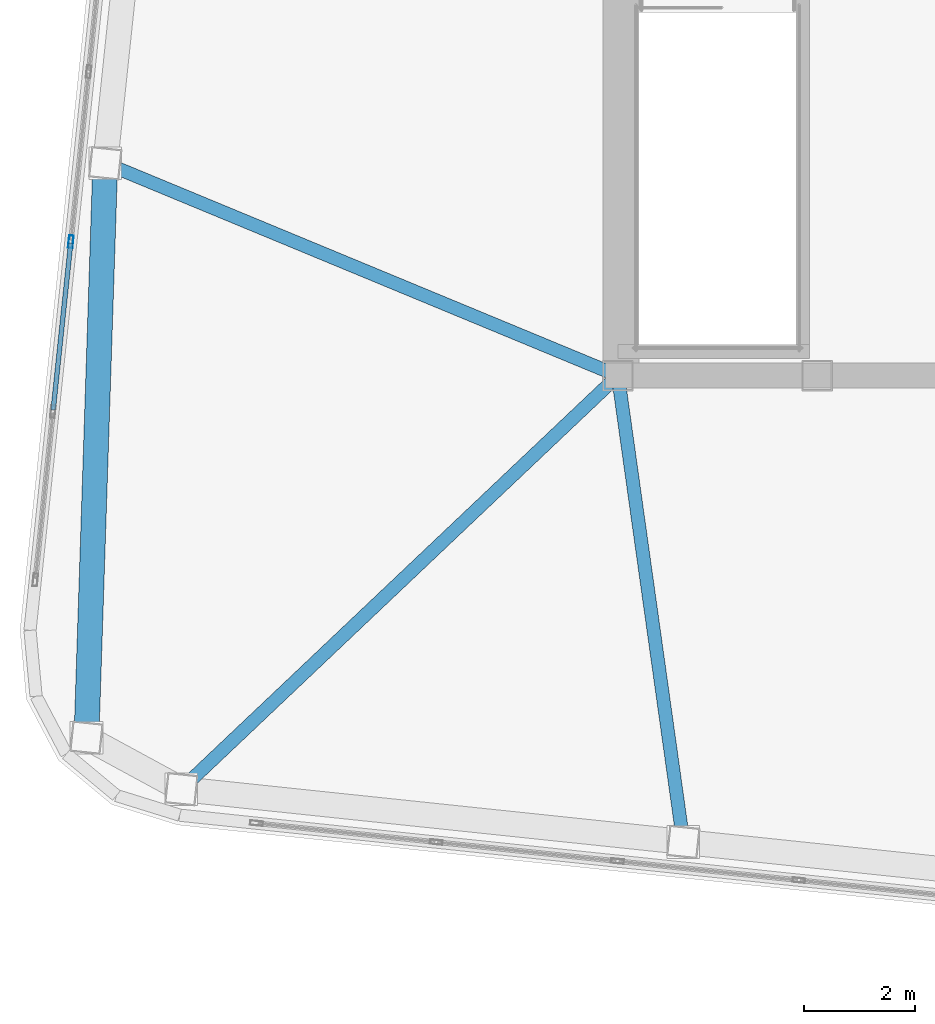
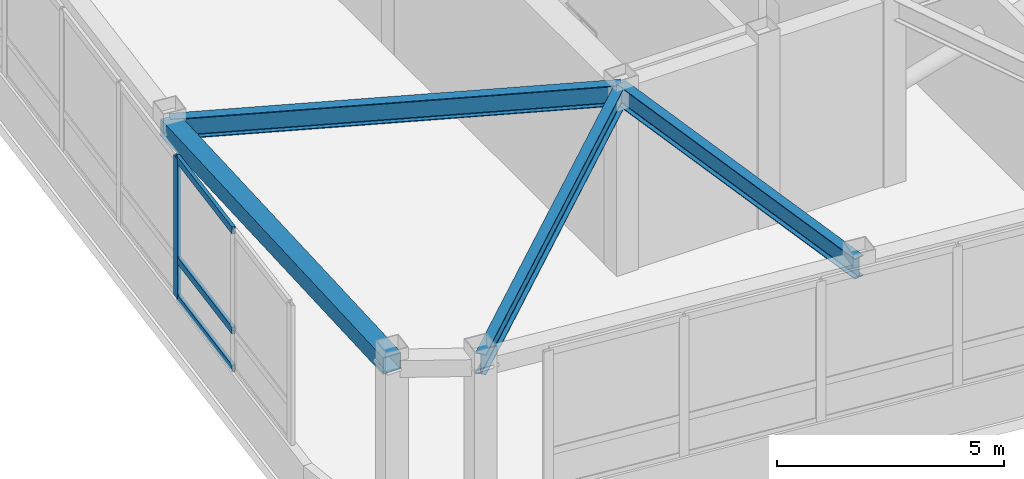
# One storey, part 3 of 21: 4 beams, 4 members, 1 element without a shape of its own.
"""IFC4 building model written with IfcOpenShell, lengths in metres."""

from ifc_helpers import new_model, si_unit, direction, frame, origin, origin_2d, place, context, subcontext, project, spatial, hollow_rectangle, i_section, extrude, material, layer, layer_set, material_profile, profile_set, type_object, element, aggregate, save


model = new_model("IFC4")

# Units and contexts
model_context = context("Model", 3, precision=1e-05, world=origin(), true_north=direction((0.0, 1.0)))
body_context = subcontext(model_context, "Body", "Model", "MODEL_VIEW")
ifc_project = project(units=[si_unit("LENGTHUNIT", "METRE"), si_unit("AREAUNIT", "SQUARE_METRE"), si_unit("VOLUMEUNIT", "CUBIC_METRE"), si_unit("PLANEANGLEUNIT", "RADIAN"), si_unit("MASSUNIT", "GRAM", prefix="KILO")], contexts=[model_context])

# Site, building, storey
site_placement = place(None, origin())
site = spatial("IfcSite", under=ifc_project, at=site_placement, CompositionType="ELEMENT")
building_placement = place(site_placement, origin())
building = spatial("IfcBuilding", under=site, at=building_placement, Name="Voryun Gate Residences", CompositionType="ELEMENT")
storey_placement = place(building_placement, frame((0.0, 0.0, 337.199951171875)))
storey = spatial("IfcBuildingStorey", under=building, at=storey_placement, Name="L82", CompositionType="ELEMENT", Elevation=337.199951171875)

# Beams
ifc_material_1 = material(Name="Steel SM355", Category="steel")
ifc_material_profile_1 = material_profile(ifc_material_1, hollow_rectangle(XDim=0.449951171875, YDim=0.449951171875, WallThickness=0.01806640625, at=origin_2d()), Name="BOX-450x450x18")
ifc_profile_set_1 = profile_set([ifc_material_profile_1], Name="Steel SM355")
beam_type_1 = type_object("IfcBeamType", Name="BM_CROWN_RING", PredefinedType="BEAM", material=ifc_profile_set_1)
beam_1_placement = place(storey_placement, frame((-28.464111328125, -3.56201171875, 4.735107421875), z_axis=(-0.032704208853, -0.999465074289, 0.0), x_axis=(0.999465074289, -0.032704208853, 0.0)))
element("IfcBeam", 1, at=beam_1_placement, inside=storey, type_object=beam_type_1, Name="BM-L82-SPAND-19", PredefinedType="BEAM", context=body_context, shape_type="SweptSolid", body=[
    extrude(hollow_rectangle(XDim=0.449951171875, YDim=0.449951171875, WallThickness=0.01806640625, at=origin_2d()), origin(), (0.0, 0.0, 1.0), 10.384033203125),
])
ifc_material_2 = material(Name="Steel SM355", Category="steel")
ifc_material_profile_2 = material_profile(ifc_material_2, i_section(OverallWidth=0.239990234375, OverallDepth=0.550048828125, WebThickness=0.011962890625, FlangeThickness=0.02001953125, FilletRadius=0.01806640625, at=origin_2d()), Name="H-550x240x12x20")
ifc_profile_set_2 = profile_set([ifc_material_profile_2], Name="Steel SM355")
beam_type_2 = type_object("IfcBeamType", Name="BM_GIRD_550", PredefinedType="USERDEFINED", material=ifc_profile_set_2)
beam_2_placement = place(storey_placement, frame((-19.199951171875, -7.39990234375, 4.68505859375), z_axis=(-0.726024122139, -0.687669233042, 0.0), x_axis=(0.687669233042, -0.726024122139, 0.0)))
element("IfcBeam", 2, at=beam_2_placement, inside=storey, type_object=beam_type_2, Name="BM-L82-RAD-S1", ObjectType="GIRDER", PredefinedType="USERDEFINED", context=body_context, shape_type="SweptSolid", body=[
    extrude(i_section(OverallWidth=0.239990234375, OverallDepth=0.550048828125, WebThickness=0.011962890625, FlangeThickness=0.02001953125, FilletRadius=0.01806640625, at=origin_2d()), origin(), (0.0, 0.0, 1.0), 10.865478515625),
])
beam_3_placement = place(storey_placement, frame((-19.199951171875, -7.39990234375, 4.68505859375), z_axis=(0.138865687617, -0.990311224213, 0.0), x_axis=(0.990311224213, 0.138865687617, 0.0)))
element("IfcBeam", 3, at=beam_3_placement, inside=storey, type_object=beam_type_2, Name="BM-L82-RAD-S2", ObjectType="GIRDER", PredefinedType="USERDEFINED", context=body_context, shape_type="SweptSolid", body=[
    extrude(i_section(OverallWidth=0.239990234375, OverallDepth=0.550048828125, WebThickness=0.011962890625, FlangeThickness=0.02001953125, FilletRadius=0.01806640625, at=origin_2d()), origin(), (0.0, 0.0, 1.0), 8.507568359375),
])
beam_4_placement = place(storey_placement, frame((-19.199951171875, -7.39990234375, 4.68505859375), z_axis=(-0.923860145027, 0.382730234539, 0.0), x_axis=(-0.382730234539, -0.923860145027, 0.0)))
element("IfcBeam", 4, at=beam_4_placement, inside=storey, type_object=beam_type_2, Name="BM-L82-RAD-W2", ObjectType="GIRDER", PredefinedType="USERDEFINED", context=body_context, shape_type="SweptSolid", body=[
    extrude(i_section(OverallWidth=0.239990234375, OverallDepth=0.550048828125, WebThickness=0.011962890625, FlangeThickness=0.02001953125, FilletRadius=0.01806640625, at=origin_2d()), origin(), (0.0, 0.0, 1.0), 10.027587890625),
])

# Curtain wall, members
ifc_material_3 = material(Name="Anodised aluminium", Category="aluminium")
ifc_layer = layer(ifc_material_3, 0.22998046875, Name="CW_SYS_LANTERN_DARK_GLASS")
ifc_layer_set = layer_set([ifc_layer], Name="Anodised aluminium")
curtain_wall_type = type_object("IfcCurtainWallType", Name="CW_SYS_LANTERN_DARK_GLASS", PredefinedType="NOTDEFINED", material=ifc_layer_set)
curtain_wall_placement = place(storey_placement, origin())
curtain_wall = element("IfcCurtainWall", 5, at=curtain_wall_placement, inside=storey, type_object=curtain_wall_type, Name="Curtain wall CW6-L82-06", PredefinedType="NOTDEFINED")
ifc_material_4 = material(Name="Anodised aluminium", Category="aluminium")
ifc_material_profile_3 = material_profile(ifc_material_4, hollow_rectangle(XDim=0.0849609375, YDim=0.22998046875, WallThickness=0.006103515625, at=origin_2d()), Name="ALU-MULL-230x85x6")
ifc_profile_set_3 = profile_set([ifc_material_profile_3], Name="Anodised aluminium")
member_type_1 = type_object("IfcMemberType", Name="CW_MULL_LANT", PredefinedType="MULLION", material=ifc_profile_set_3)
member_1_placement = place(storey_placement, frame((-29.08544921875, -4.978515625, 1.18994140625), z_axis=(0.0, 0.0, 1.0), x_axis=(-0.994521943608, 0.104528004296, 0.0)))
member_1 = element("IfcMember", 6, at=member_1_placement, type_object=member_type_1, Name="CW6 mullion 3", PredefinedType="MULLION", context=body_context, shape_type="SweptSolid", body=[
    extrude(hollow_rectangle(XDim=0.0849609375, YDim=0.22998046875, WallThickness=0.006103515625, at=origin_2d()), origin(), (0.0, 0.0, 1.0), 3.77001953125),
])
ifc_material_5 = material(Name="Anodised aluminium", Category="aluminium")
ifc_material_profile_4 = material_profile(ifc_material_5, hollow_rectangle(XDim=0.0849609375, YDim=0.18994140625, WallThickness=0.006103515625, at=origin_2d()), Name="ALU-TRAN-190x85x6")
ifc_profile_set_4 = profile_set([ifc_material_profile_4], Name="Anodised aluminium")
member_type_2 = type_object("IfcMemberType", Name="CW_TRAN_LANT", PredefinedType="USERDEFINED", material=ifc_profile_set_4)
member_2_placement = place(storey_placement, frame((-29.405029296875, -8.01953125, 1.219970703125), z_axis=(0.104500100479, 0.994524876009, 0.0), x_axis=(-0.994524876009, 0.104500100479, 0.0)))
member_2 = element("IfcMember", 7, at=member_2_placement, type_object=member_type_2, Name="CW6 transom 2.1", ObjectType="TRANSOM", PredefinedType="USERDEFINED", context=body_context, shape_type="SweptSolid", body=[
    extrude(hollow_rectangle(XDim=0.0849609375, YDim=0.18994140625, WallThickness=0.006103515625, at=origin_2d()), origin(), (0.0, 0.0, 1.0), 3.02783203125),
])
member_3_placement = place(storey_placement, frame((-29.405029296875, -8.01953125, 2.239990234375), z_axis=(0.104500100479, 0.994524876009, 0.0), x_axis=(-0.994524876009, 0.104500100479, 0.0)))
member_3 = element("IfcMember", 8, at=member_3_placement, type_object=member_type_2, Name="CW6 transom 2.2", ObjectType="TRANSOM", PredefinedType="USERDEFINED", context=body_context, shape_type="SweptSolid", body=[
    extrude(hollow_rectangle(XDim=0.0849609375, YDim=0.18994140625, WallThickness=0.006103515625, at=origin_2d()), origin(), (0.0, 0.0, 1.0), 3.02783203125),
])
member_4_placement = place(storey_placement, frame((-29.405029296875, -8.01953125, 4.929931640625), z_axis=(0.104500100479, 0.994524876009, 0.0), x_axis=(-0.994524876009, 0.104500100479, 0.0)))
member_4 = element("IfcMember", 9, at=member_4_placement, type_object=member_type_2, Name="CW6 transom 2.3", ObjectType="TRANSOM", PredefinedType="USERDEFINED", context=body_context, shape_type="SweptSolid", body=[
    extrude(hollow_rectangle(XDim=0.0849609375, YDim=0.18994140625, WallThickness=0.006103515625, at=origin_2d()), origin(), (0.0, 0.0, 1.0), 3.02783203125),
])
aggregate(curtain_wall, [member_1, member_2, member_3, member_4])

save(model, "model.ifc")
